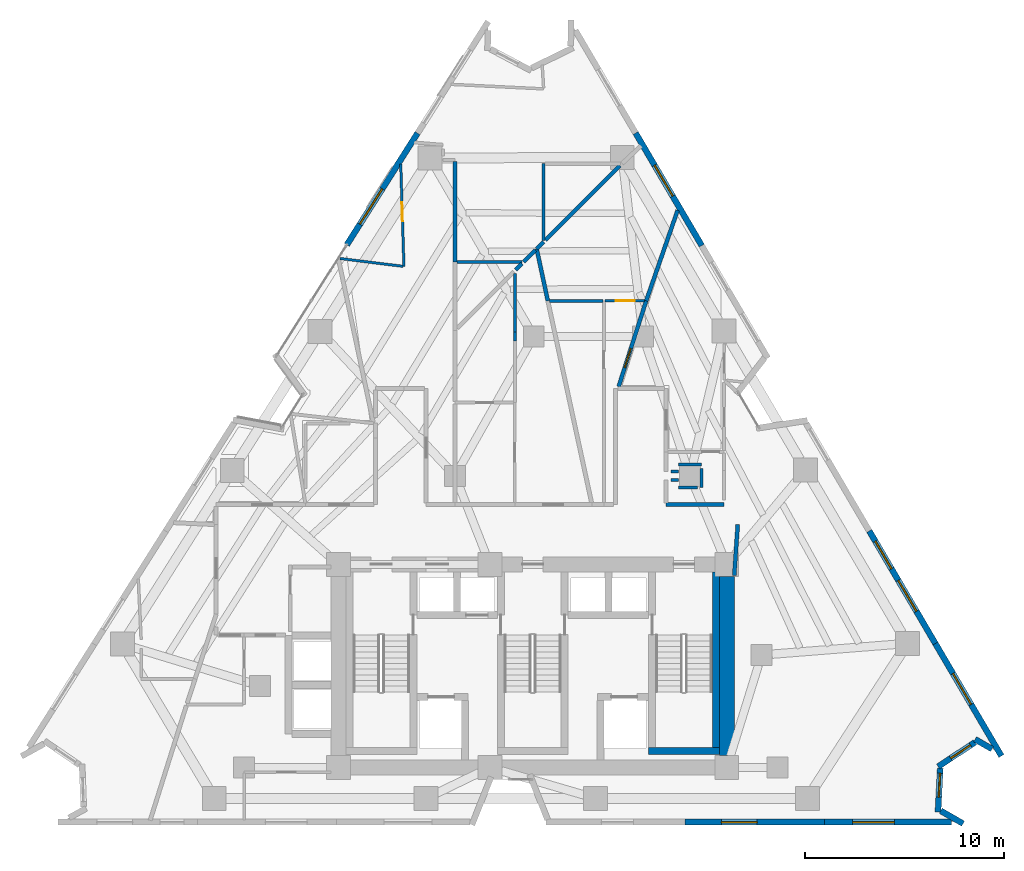
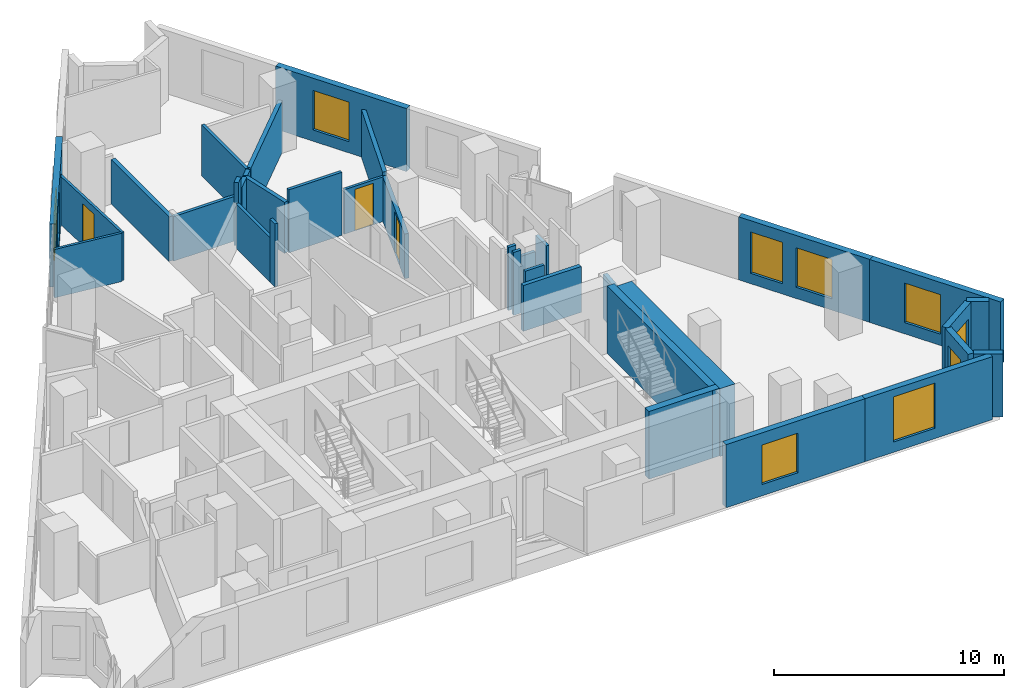
# One storey, part 8 of 12: 36 walls, 9 windows, 3 doors, 12 openings.
"""IFC4 building model written with IfcOpenShell, lengths in metres."""

from ifc_helpers import new_model, si_unit, direction, frame, frame_2d, origin, place, context, subcontext, project, spatial, rectangle, extrude, material, layer, layer_set, type_object, element, fill, save


model = new_model("IFC4")

# Units and contexts
model_context = context("Model", 3, precision=1e-05, world=origin(), true_north=direction((0.0, 1.0)))
body_context = subcontext(model_context, "Body", "Model", "MODEL_VIEW")
ifc_project = project(units=[si_unit("LENGTHUNIT", "METRE"), si_unit("AREAUNIT", "SQUARE_METRE"), si_unit("VOLUMEUNIT", "CUBIC_METRE"), si_unit("PLANEANGLEUNIT", "RADIAN"), si_unit("MASSUNIT", "GRAM", prefix="KILO")], contexts=[model_context])

# Site, building, storey
site_placement = place(None, origin())
site = spatial("IfcSite", under=ifc_project, at=site_placement, CompositionType="ELEMENT")
building_placement = place(site_placement, origin())
building = spatial("IfcBuilding", under=site, at=building_placement, Name="Almagre Mirador Tower", CompositionType="ELEMENT")
storey_placement = place(building_placement, frame((0.0, 0.0, 114.0)))
storey = spatial("IfcBuildingStorey", under=building, at=storey_placement, Name="L28", CompositionType="ELEMENT", Elevation=114.0)

# Wall, opening, window
ifc_material_1 = material(Name="Precast concrete C50/60", Category="concrete")
ifc_layer_1 = layer(ifc_material_1, 0.300048828125)
ifc_layer_set_1 = layer_set([ifc_layer_1], Name="Precast concrete C50/60")
wall_type_1 = type_object("IfcWallType", Name="WAL-EXT-300", PredefinedType="SOLIDWALL", material=ifc_layer_set_1)
wall_1_placement = place(storey_placement, frame((27.96435546875, 30.81005859375, 0.0), z_axis=(0.0, 0.0, 1.0), x_axis=(0.534892719091, 0.844919983823, 0.0)))
wall_1 = element("IfcWall", 1, at=wall_1_placement, inside=storey, type_object=wall_type_1, Name="L28 expressed almagre precast frame wall 03", PredefinedType="SOLIDWALL", context=body_context, shape_type="SweptSolid", body=[
    extrude(rectangle(XDim=6.6337890625, YDim=0.300048828125, at=frame_2d((3.31689453125, 0.0))), origin(), (0.0, 0.0, 1.0), 3.35009765625),
])
opening_1_placement = place(wall_1_placement, frame((1.22509765625, 0.0, 0.550048828125)))
opening_1 = element("IfcOpeningElement", 2, at=opening_1_placement, cuts=wall_1, Name="Opening WN-05", PredefinedType="OPENING", context=body_context, shape_type="SweptSolid", body=[
    extrude(rectangle(XDim=2.10009765625, YDim=2.39990234375, at=frame_2d((1.050048828125, 1.199951171875))), frame((0.0, 0.159902, 0.0), z_axis=(0.0, -1.0, 0.0), x_axis=(1.0, 0.0, 0.0)), (0.0, 0.0, 1.0), 0.320049),
])
ifc_material_2 = material(Name="Dark solar-control laminated hurricane glass", Category="glass")
window_type_1 = type_object("IfcWindowType", Name="WIN-2100X2400", PartitioningType="DOUBLE_PANEL_VERTICAL", PredefinedType="WINDOW", material=ifc_material_2)
window_1_placement = place(opening_1_placement, origin())
window_1 = element("IfcWindow", 3, at=window_1_placement, inside=storey, type_object=window_type_1, Name="L28 recessed hurricane window L28-UJ-KT", OverallHeight=2.39990234375, OverallWidth=2.10009765625, PartitioningType="SINGLE_PANEL", PredefinedType="WINDOW", context=body_context, shape_type="SweptSolid", body=[
    extrude(rectangle(XDim=2.10009765625, YDim=2.39990234375, at=frame_2d((1.050048828125, 1.199951171875))), frame((0.0, 0.030029296875, 0.0), z_axis=(0.0, -1.0, 0.0), x_axis=(1.0, 0.0, 0.0)), (0.0, 0.0, 1.0), 0.06005859375),
])
fill(opening_1, window_1)

wall_2_placement = place(storey_placement, frame((42.472412109375, 36.420166015625, 0.0), z_axis=(0.0, 0.0, 1.0), x_axis=(0.506315009763, -0.86234860172, 0.0)))
wall_2 = element("IfcWall", 4, at=wall_2_placement, inside=storey, type_object=wall_type_1, Name="L28 expressed almagre precast frame wall 10", PredefinedType="SOLIDWALL", context=body_context, shape_type="SweptSolid", body=[
    extrude(rectangle(XDim=6.553466796875, YDim=0.300048828125, at=frame_2d((3.27685546875, 0.0))), origin(), (0.0, 0.0, 1.0), 3.35009765625),
])
opening_2_placement = place(wall_2_placement, frame((1.875, 0.0, 0.60009765625)))
opening_2 = element("IfcOpeningElement", 5, at=opening_2_placement, cuts=wall_2, Name="Opening WN-01", PredefinedType="OPENING", context=body_context, shape_type="SweptSolid", body=[
    extrude(rectangle(XDim=1.800048828125, YDim=2.10009765625, at=frame_2d((0.89990234375, 1.050048828125))), frame((0.0, 0.159902, 0.0), z_axis=(0.0, -1.0, 0.0), x_axis=(1.0, 0.0, 0.0)), (0.0, 0.0, 1.0), 0.320049),
])
ifc_material_3 = material(Name="Dark solar-control laminated hurricane glass", Category="glass")
window_type_2 = type_object("IfcWindowType", Name="WIN-1800X2100", PartitioningType="DOUBLE_PANEL_VERTICAL", PredefinedType="WINDOW", material=ifc_material_3)
window_2_placement = place(opening_2_placement, origin())
window_2 = element("IfcWindow", 6, at=window_2_placement, inside=storey, type_object=window_type_2, Name="L28 recessed hurricane window L28-UK-KT", OverallHeight=2.10009765625, OverallWidth=1.800048828125, PartitioningType="SINGLE_PANEL", PredefinedType="WINDOW", context=body_context, shape_type="SweptSolid", body=[
    extrude(rectangle(XDim=1.800048828125, YDim=2.10009765625, at=frame_2d((0.89990234375, 1.050048828125))), frame((0.0, 0.030029296875, 0.0), z_axis=(0.0, -1.0, 0.0), x_axis=(1.0, 0.0, 0.0)), (0.0, 0.0, 1.0), 0.06005859375),
])
fill(opening_2, window_2)

# Wall, openings, windows
wall_3_placement = place(storey_placement, frame((54.20947265625, 16.43115234375, 0.0), z_axis=(0.0, 0.0, 1.0), x_axis=(0.506315009763, -0.86234860172, 0.0)))
wall_3 = element("IfcWall", 7, at=wall_3_placement, inside=storey, type_object=wall_type_1, Name="L28 expressed almagre precast frame wall 15", PredefinedType="SOLIDWALL", context=body_context, shape_type="SweptSolid", body=[
    extrude(rectangle(XDim=6.553466796875, YDim=0.300048828125, at=frame_2d((3.27685546875, 0.0))), origin(), (0.0, 0.0, 1.0), 3.35009765625),
])
opening_3_placement = place(wall_3_placement, frame((2.875, 0.0, 0.60009765625)))
opening_3 = element("IfcOpeningElement", 8, at=opening_3_placement, cuts=wall_3, Name="Opening WN-01", PredefinedType="OPENING", context=body_context, shape_type="SweptSolid", body=[
    extrude(rectangle(XDim=1.800048828125, YDim=2.10009765625, at=frame_2d((0.89990234375, 1.050048828125))), frame((0.0, 0.159902, 0.0), z_axis=(0.0, -1.0, 0.0), x_axis=(1.0, 0.0, 0.0)), (0.0, 0.0, 1.0), 0.320049),
])
opening_4_placement = place(wall_3_placement, frame((0.60009765625, 0.0, 0.550048828125)))
opening_4 = element("IfcOpeningElement", 9, at=opening_4_placement, cuts=wall_3, Name="Opening WN-06", PredefinedType="OPENING", context=body_context, shape_type="SweptSolid", body=[
    extrude(rectangle(XDim=1.60009765625, YDim=2.199951171875, at=frame_2d((0.800048828125, 1.10009765625))), frame((0.0, 0.159902, 0.0), z_axis=(0.0, -1.0, 0.0), x_axis=(1.0, 0.0, 0.0)), (0.0, 0.0, 1.0), 0.320049),
])
ifc_material_4 = material(Name="Dark solar-control laminated hurricane glass", Category="glass")
window_type_3 = type_object("IfcWindowType", Name="WIN-1600X2200", PartitioningType="DOUBLE_PANEL_VERTICAL", PredefinedType="WINDOW", material=ifc_material_4)
window_3_placement = place(opening_4_placement, origin())
window_3 = element("IfcWindow", 10, at=window_3_placement, inside=storey, type_object=window_type_3, Name="L28 recessed hurricane window L28-UC-HB", OverallHeight=2.199951171875, OverallWidth=1.60009765625, PartitioningType="SINGLE_PANEL", PredefinedType="WINDOW", context=body_context, shape_type="SweptSolid", body=[
    extrude(rectangle(XDim=1.60009765625, YDim=2.199951171875, at=frame_2d((0.800048828125, 1.10009765625))), frame((0.0, 0.030029296875, 0.0), z_axis=(0.0, -1.0, 0.0), x_axis=(1.0, 0.0, 0.0)), (0.0, 0.0, 1.0), 0.06005859375),
])
fill(opening_4, window_3)
window_4_placement = place(opening_3_placement, origin())
window_4 = element("IfcWindow", 11, at=window_4_placement, inside=storey, type_object=window_type_2, Name="L28 recessed hurricane window L28-UC-LV", OverallHeight=2.10009765625, OverallWidth=1.800048828125, PartitioningType="SINGLE_PANEL", PredefinedType="WINDOW", context=body_context, shape_type="SweptSolid", body=[
    extrude(rectangle(XDim=1.800048828125, YDim=2.10009765625, at=frame_2d((0.89990234375, 1.050048828125))), frame((0.0, 0.030029296875, 0.0), z_axis=(0.0, -1.0, 0.0), x_axis=(1.0, 0.0, 0.0)), (0.0, 0.0, 1.0), 0.06005859375),
])
fill(opening_3, window_4)

# Wall, opening, window
wall_4_placement = place(storey_placement, frame((57.527587890625, 10.77978515625, 0.0), z_axis=(0.0, 0.0, 1.0), x_axis=(0.506342712509, -0.862332335871, 0.0)))
wall_4 = element("IfcWall", 12, at=wall_4_placement, inside=storey, type_object=wall_type_1, Name="L28 expressed almagre precast frame wall 16", PredefinedType="SOLIDWALL", context=body_context, shape_type="SweptSolid", body=[
    extrude(rectangle(XDim=6.553466796875, YDim=0.300048828125, at=frame_2d((3.27685546875, 0.0))), origin(), (0.0, 0.0, 1.0), 3.35009765625),
])
opening_5_placement = place(wall_4_placement, frame((1.75, 0.0, 0.60009765625)))
opening_5 = element("IfcOpeningElement", 13, at=opening_5_placement, cuts=wall_4, Name="Opening WN-01", PredefinedType="OPENING", context=body_context, shape_type="SweptSolid", body=[
    extrude(rectangle(XDim=1.800048828125, YDim=2.10009765625, at=frame_2d((0.89990234375, 1.050048828125))), frame((0.0, 0.159902, 0.0), z_axis=(0.0, -1.0, 0.0), x_axis=(1.0, 0.0, 0.0)), (0.0, 0.0, 1.0), 0.320049),
])
window_5_placement = place(opening_5_placement, origin())
window_5 = element("IfcWindow", 14, at=window_5_placement, inside=storey, type_object=window_type_2, Name="L28 recessed hurricane window L28-UC-MB", OverallHeight=2.10009765625, OverallWidth=1.800048828125, PartitioningType="SINGLE_PANEL", PredefinedType="WINDOW", context=body_context, shape_type="SweptSolid", body=[
    extrude(rectangle(XDim=1.800048828125, YDim=2.10009765625, at=frame_2d((0.89990234375, 1.050048828125))), frame((0.0, 0.030029296875, 0.0), z_axis=(0.0, -1.0, 0.0), x_axis=(1.0, 0.0, 0.0)), (0.0, 0.0, 1.0), 0.06005859375),
])
fill(opening_5, window_5)

# Wall
wall_5_placement = place(storey_placement, frame((60.37158203125, 5.47998046875, 0.0), z_axis=(0.0, 0.0, 1.0), x_axis=(-0.867706517509, 0.497076854694, 0.0)))
element("IfcWall", 15, at=wall_5_placement, inside=storey, type_object=wall_type_1, Name="L28 expressed almagre precast frame wall 17", PredefinedType="SOLIDWALL", context=body_context, shape_type="SweptSolid", body=[
    extrude(rectangle(XDim=0.980712890625, YDim=0.300048828125, at=frame_2d((0.490234375, 0.0))), origin(), (0.0, 0.0, 1.0), 3.35009765625),
])

# Wall, opening, window
wall_6_placement = place(storey_placement, frame((59.52099609375, 5.818115234375, 0.0), z_axis=(0.0, 0.0, 1.0), x_axis=(-0.834712479674, -0.550686005158, 0.0)))
wall_6 = element("IfcWall", 16, at=wall_6_placement, inside=storey, type_object=wall_type_1, Name="L28 expressed almagre precast frame wall 18", PredefinedType="SOLIDWALL", context=body_context, shape_type="SweptSolid", body=[
    extrude(rectangle(XDim=2.22119140625, YDim=0.300048828125, at=frame_2d((1.110595703125, 0.0))), origin(), (0.0, 0.0, 1.0), 3.35009765625),
])
opening_6_placement = place(wall_6_placement, frame((0.264892578125, 0.0, 0.800048828125)))
opening_6 = element("IfcOpeningElement", 17, at=opening_6_placement, cuts=wall_6, Name="Opening WN-04", PredefinedType="OPENING", context=body_context, shape_type="SweptSolid", body=[
    extrude(rectangle(XDim=1.199951171875, YDim=1.800048828125, at=frame_2d((0.60009765625, 0.89990234375))), frame((0.0, 0.159902, 0.0), z_axis=(0.0, -1.0, 0.0), x_axis=(1.0, 0.0, 0.0)), (0.0, 0.0, 1.0), 0.320049),
])
ifc_material_5 = material(Name="Dark solar-control laminated hurricane glass", Category="glass")
window_type_4 = type_object("IfcWindowType", Name="WIN-1200X1800", PartitioningType="SINGLE_PANEL", PredefinedType="WINDOW", material=ifc_material_5)
window_6_placement = place(opening_6_placement, origin())
window_6 = element("IfcWindow", 18, at=window_6_placement, inside=storey, type_object=window_type_4, Name="L28 recessed hurricane window L28-UC-MB", OverallHeight=1.800048828125, OverallWidth=1.199951171875, PartitioningType="SINGLE_PANEL", PredefinedType="WINDOW", context=body_context, shape_type="SweptSolid", body=[
    extrude(rectangle(XDim=1.199951171875, YDim=1.800048828125, at=frame_2d((0.60009765625, 0.89990234375))), frame((0.0, 0.030029296875, 0.0), z_axis=(0.0, -1.0, 0.0), x_axis=(1.0, 0.0, 0.0)), (0.0, 0.0, 1.0), 0.06005859375),
])
fill(opening_6, window_6)

wall_7_placement = place(storey_placement, frame((57.77587890625, 4.51708984375, 0.0), z_axis=(0.0, 0.0, 1.0), x_axis=(-0.052535661709, -0.998619048611, 0.0)))
wall_7 = element("IfcWall", 19, at=wall_7_placement, inside=storey, type_object=wall_type_1, Name="L28 expressed almagre precast frame wall 19", PredefinedType="SOLIDWALL", context=body_context, shape_type="SweptSolid", body=[
    extrude(rectangle(XDim=2.212158203125, YDim=0.300048828125, at=frame_2d((1.10595703125, 0.0))), origin(), (0.0, 0.0, 1.0), 3.35009765625),
])
opening_7_placement = place(wall_7_placement, frame((0.2548828125, 0.0, 0.800048828125)))
opening_7 = element("IfcOpeningElement", 20, at=opening_7_placement, cuts=wall_7, Name="Opening WN-04", PredefinedType="OPENING", context=body_context, shape_type="SweptSolid", body=[
    extrude(rectangle(XDim=1.199951171875, YDim=1.800048828125, at=frame_2d((0.60009765625, 0.89990234375))), frame((0.0, 0.159902, 0.0), z_axis=(0.0, -1.0, 0.0), x_axis=(1.0, 0.0, 0.0)), (0.0, 0.0, 1.0), 0.320049),
])
window_7_placement = place(opening_7_placement, origin())
window_7 = element("IfcWindow", 21, at=window_7_placement, inside=storey, type_object=window_type_4, Name="L28 recessed hurricane window L28-UC-MB", OverallHeight=1.800048828125, OverallWidth=1.199951171875, PartitioningType="SINGLE_PANEL", PredefinedType="WINDOW", context=body_context, shape_type="SweptSolid", body=[
    extrude(rectangle(XDim=1.199951171875, YDim=1.800048828125, at=frame_2d((0.60009765625, 0.89990234375))), frame((0.0, 0.030029296875, 0.0), z_axis=(0.0, -1.0, 0.0), x_axis=(1.0, 0.0, 0.0)), (0.0, 0.0, 1.0), 0.06005859375),
])
fill(opening_7, window_7)

# Wall
wall_8_placement = place(storey_placement, frame((57.797119140625, 2.37353515625, 0.0), z_axis=(0.0, 0.0, 1.0), x_axis=(0.868034267217, -0.496504290955, 0.0)))
element("IfcWall", 22, at=wall_8_placement, inside=storey, type_object=wall_type_1, Name="L28 expressed almagre precast frame wall 20", PredefinedType="SOLIDWALL", context=body_context, shape_type="SweptSolid", body=[
    extrude(rectangle(XDim=1.295166015625, YDim=0.300048828125, at=frame_2d((0.6474609375, 0.0))), origin(), (0.0, 0.0, 1.0), 3.35009765625),
])

# Wall, opening, window
wall_9_placement = place(storey_placement, frame((58.35009765625, 1.800048828125, 0.0), z_axis=(0.0, 0.0, 1.0), x_axis=(-1.0, 0.0, 0.0)))
wall_9 = element("IfcWall", 23, at=wall_9_placement, inside=storey, type_object=wall_type_1, Name="L28 expressed almagre precast frame wall 21", PredefinedType="SOLIDWALL", context=body_context, shape_type="SweptSolid", body=[
    extrude(rectangle(XDim=6.4033203125, YDim=0.300048828125, at=frame_2d((3.20166015625, 0.0))), origin(), (0.0, 0.0, 1.0), 3.35009765625),
])
opening_8_placement = place(wall_9_placement, frame((2.885009765625, 0.0, 0.550048828125)))
opening_8 = element("IfcOpeningElement", 24, at=opening_8_placement, cuts=wall_9, Name="Opening WN-05", PredefinedType="OPENING", context=body_context, shape_type="SweptSolid", body=[
    extrude(rectangle(XDim=2.10009765625, YDim=2.39990234375, at=frame_2d((1.050048828125, 1.199951171875))), frame((0.0, 0.159902, 0.0), z_axis=(0.0, -1.0, 0.0), x_axis=(1.0, 0.0, 0.0)), (0.0, 0.0, 1.0), 0.320049),
])
window_8_placement = place(opening_8_placement, origin())
window_8 = element("IfcWindow", 25, at=window_8_placement, inside=storey, type_object=window_type_1, Name="L28 recessed hurricane window L28-UC-KT", OverallHeight=2.39990234375, OverallWidth=2.10009765625, PartitioningType="SINGLE_PANEL", PredefinedType="WINDOW", context=body_context, shape_type="SweptSolid", body=[
    extrude(rectangle(XDim=2.10009765625, YDim=2.39990234375, at=frame_2d((1.050048828125, 1.199951171875))), frame((0.0, 0.030029296875, 0.0), z_axis=(0.0, -1.0, 0.0), x_axis=(1.0, 0.0, 0.0)), (0.0, 0.0, 1.0), 0.06005859375),
])
fill(opening_8, window_8)

wall_10_placement = place(storey_placement, frame((51.94677734375, 1.800048828125, 0.0), z_axis=(0.0, 0.0, 1.0), x_axis=(-1.0, 0.0, 0.0)))
wall_10 = element("IfcWall", 26, at=wall_10_placement, inside=storey, type_object=wall_type_1, Name="L28 expressed almagre precast frame wall 22", PredefinedType="SOLIDWALL", context=body_context, shape_type="SweptSolid", body=[
    extrude(rectangle(XDim=6.993408203125, YDim=0.300048828125, at=frame_2d((3.49658203125, 0.0))), origin(), (0.0, 0.0, 1.0), 3.35009765625),
])
opening_9_placement = place(wall_10_placement, frame((3.375, 0.0, 0.60009765625)))
opening_9 = element("IfcOpeningElement", 27, at=opening_9_placement, cuts=wall_10, Name="Opening WN-01", PredefinedType="OPENING", context=body_context, shape_type="SweptSolid", body=[
    extrude(rectangle(XDim=1.800048828125, YDim=2.10009765625, at=frame_2d((0.89990234375, 1.050048828125))), frame((0.0, 0.159902, 0.0), z_axis=(0.0, -1.0, 0.0), x_axis=(1.0, 0.0, 0.0)), (0.0, 0.0, 1.0), 0.320049),
])
window_9_placement = place(opening_9_placement, origin())
window_9 = element("IfcWindow", 28, at=window_9_placement, inside=storey, type_object=window_type_2, Name="L28 recessed hurricane window L28-RST-B", OverallHeight=2.10009765625, OverallWidth=1.800048828125, PartitioningType="SINGLE_PANEL", PredefinedType="WINDOW", context=body_context, shape_type="SweptSolid", body=[
    extrude(rectangle(XDim=1.800048828125, YDim=2.10009765625, at=frame_2d((0.89990234375, 1.050048828125))), frame((0.0, 0.030029296875, 0.0), z_axis=(0.0, -1.0, 0.0), x_axis=(1.0, 0.0, 0.0)), (0.0, 0.0, 1.0), 0.06005859375),
])
fill(opening_9, window_9)

# Wall, opening, door
ifc_material_6 = material(Name="Gypsum acoustic stud partition", Category="other")
ifc_layer_2 = layer(ifc_material_6, 0.125)
ifc_layer_set_2 = layer_set([ifc_layer_2], Name="Gypsum acoustic stud partition")
wall_type_2 = type_object("IfcWallType", Name="WAL-PRT-125-UTL", PredefinedType="PARTITIONING", material=ifc_layer_set_2)
wall_11_placement = place(storey_placement, frame((30.6708984375, 34.864990234375, 0.0), z_axis=(0.0, 0.0, 1.0), x_axis=(0.030923800782, -0.999521744909, 0.0)))
wall_11 = element("IfcWall", 29, at=wall_11_placement, inside=storey, type_object=wall_type_2, Name="L28 interior partition 076", PredefinedType="PARTITIONING", context=body_context, shape_type="SweptSolid", body=[
    extrude(rectangle(XDim=5.1474609375, YDim=0.125, at=frame_2d((2.57373046875, 0.0))), origin(), (0.0, 0.0, 1.0), 2.570068359375),
])
opening_10_placement = place(wall_11_placement, frame((1.92431640625, 0.0, 0.0)))
opening_10 = element("IfcOpeningElement", 30, at=opening_10_placement, cuts=wall_11, Name="Opening UD-01", PredefinedType="OPENING", context=body_context, shape_type="SweptSolid", body=[
    extrude(rectangle(XDim=0.949951171875, YDim=2.199951171875, at=frame_2d((0.47509765625, 1.10009765625))), frame((0.0, 0.0725, 0.0), z_axis=(0.0, -1.0, 0.0), x_axis=(1.0, 0.0, 0.0)), (0.0, 0.0, 1.0), 0.145),
])
ifc_material_7 = material(Name="Solid American walnut timber", Category="wood")
door_type_1 = type_object("IfcDoorType", Name="DOR-UNR-950X2200", OperationType="NOTDEFINED", PredefinedType="DOOR", material=ifc_material_7)
door_1_placement = place(opening_10_placement, origin())
door_1 = element("IfcDoor", 31, at=door_1_placement, inside=storey, type_object=door_type_1, Name="DR-0931 L28 interior door L28-UJ-LV to L28-UJ-KT", OperationType="SINGLE_SWING_LEFT", OverallHeight=2.199951171875, OverallWidth=0.949951171875, PredefinedType="DOOR", context=body_context, shape_type="SweptSolid", body=[
    extrude(rectangle(XDim=0.949951171875, YDim=2.199951171875, at=frame_2d((0.47509765625, 1.10009765625))), frame((0.0, 0.02490234375, 0.0), z_axis=(0.0, -1.0, 0.0), x_axis=(1.0, 0.0, 0.0)), (0.0, 0.0, 1.0), 0.050048828125),
])
fill(opening_10, door_1)

# Wall
wall_12_placement = place(storey_placement, frame((27.617431640625, 30.118408203125, 0.0), z_axis=(0.0, 0.0, 1.0), x_axis=(0.992397517991, -0.123073824536, 0.0)))
element("IfcWall", 32, at=wall_12_placement, inside=storey, type_object=wall_type_2, Name="L28 interior partition 081", PredefinedType="PARTITIONING", context=body_context, shape_type="SweptSolid", body=[
    extrude(rectangle(XDim=3.189697265625, YDim=0.125, at=frame_2d((1.5947265625, 0.0))), origin(), (0.0, 0.0, 1.0), 2.570068359375),
])

# Wall, opening, door
wall_13_placement = place(storey_placement, frame((42.9150390625, 27.989990234375, 0.0), z_axis=(0.0, 0.0, 1.0), x_axis=(-1.0, 0.0, 0.0)))
wall_13 = element("IfcWall", 33, at=wall_13_placement, inside=storey, type_object=wall_type_2, Name="L28 interior partition 083", PredefinedType="PARTITIONING", context=body_context, shape_type="SweptSolid", body=[
    extrude(rectangle(XDim=1.97509765625, YDim=0.125, at=frame_2d((0.987548828125, 0.0))), origin(), (0.0, 0.0, 1.0), 2.3720703125),
])
opening_11_placement = place(wall_13_placement, frame((0.5, 0.0, 0.0)))
opening_11 = element("IfcOpeningElement", 34, at=opening_11_placement, cuts=wall_13, Name="Opening UD-01", PredefinedType="OPENING", context=body_context, shape_type="SweptSolid", body=[
    extrude(rectangle(XDim=0.949951171875, YDim=2.199951171875, at=frame_2d((0.47509765625, 1.10009765625))), frame((0.0, 0.0725, 0.0), z_axis=(0.0, -1.0, 0.0), x_axis=(1.0, 0.0, 0.0)), (0.0, 0.0, 1.0), 0.145),
])
door_2_placement = place(opening_11_placement, origin())
door_2 = element("IfcDoor", 35, at=door_2_placement, inside=storey, type_object=door_type_1, Name="DR-0932 L28 interior door L28-UK-ST to L28-UK-KT", OperationType="SINGLE_SWING_LEFT", OverallHeight=2.199951171875, OverallWidth=0.949951171875, PredefinedType="DOOR", context=body_context, shape_type="SweptSolid", body=[
    extrude(rectangle(XDim=0.949951171875, YDim=2.199951171875, at=frame_2d((0.47509765625, 1.10009765625))), frame((0.0, 0.02490234375, 0.0), z_axis=(0.0, -1.0, 0.0), x_axis=(1.0, 0.0, 0.0)), (0.0, 0.0, 1.0), 0.050048828125),
])
fill(opening_11, door_2)

# Walls
ifc_material_8 = material(Name="Gypsum acoustic stud partition", Category="other")
ifc_layer_3 = layer(ifc_material_8, 0.14990234375)
ifc_layer_set_3 = layer_set([ifc_layer_3], Name="Gypsum acoustic stud partition")
wall_type_3 = type_object("IfcWallType", Name="WAL-PRT-150-STD", PredefinedType="PARTITIONING", material=ifc_layer_set_3)
wall_14_placement = place(storey_placement, frame((36.39990234375, 29.364990234375, 0.0), z_axis=(0.0, 0.0, 1.0), x_axis=(0.0, -1.0, 0.0)))
element("IfcWall", 36, at=wall_14_placement, inside=storey, type_object=wall_type_3, Name="L28 interior partition 058", PredefinedType="PARTITIONING", context=body_context, shape_type="SweptSolid", body=[
    extrude(rectangle(XDim=2.945068359375, YDim=0.14990234375, at=frame_2d((1.47265625, 0.0))), origin(), (0.0, 0.0, 1.0), 2.3720703125),
])
wall_15_placement = place(storey_placement, frame((40.820068359375, 27.989990234375, 0.0), z_axis=(0.0, 0.0, 1.0), x_axis=(-1.0, 0.0, 0.0)))
element("IfcWall", 37, at=wall_15_placement, inside=storey, type_object=wall_type_3, Name="L28 interior partition 084", PredefinedType="PARTITIONING", context=body_context, shape_type="SweptSolid", body=[
    extrude(rectangle(XDim=2.675048828125, YDim=0.14990234375, at=frame_2d((1.33740234375, 0.0))), origin(), (0.0, 0.0, 1.0), 3.35009765625),
])
wall_16_placement = place(storey_placement, frame((33.485107421875, 29.949951171875, 0.0), z_axis=(0.0, 0.0, 1.0), x_axis=(1.0, 0.0, 0.0)))
element("IfcWall", 38, at=wall_16_placement, inside=storey, type_object=wall_type_3, Name="L28 interior partition 088", PredefinedType="PARTITIONING", context=body_context, shape_type="SweptSolid", body=[
    extrude(rectangle(XDim=3.27978515625, YDim=0.14990234375, at=frame_2d((1.639892578125, 0.0))), origin(), (0.0, 0.0, 1.0), 2.3720703125),
])
wall_17_placement = place(storey_placement, frame((37.85009765625, 31.034912109375, 0.0), z_axis=(0.0, 0.0, 1.0), x_axis=(0.0, 1.0, 0.0)))
element("IfcWall", 39, at=wall_17_placement, inside=storey, type_object=wall_type_3, Name="L28 interior partition 091", PredefinedType="PARTITIONING", context=body_context, shape_type="SweptSolid", body=[
    extrude(rectangle(XDim=3.85498046875, YDim=0.14990234375, at=frame_2d((1.927490234375, 0.0))), origin(), (0.0, 0.0, 1.0), 2.7119140625),
])
wall_18_placement = place(storey_placement, frame((36.39990234375, 25.97998046875, 0.0), z_axis=(0.0, 0.0, 1.0), x_axis=(0.0, 1.0, 0.0)))
element("IfcWall", 40, at=wall_18_placement, inside=storey, type_object=wall_type_3, Name="L28 interior partition 099", PredefinedType="PARTITIONING", context=body_context, shape_type="SweptSolid", body=[
    extrude(rectangle(XDim=0.43994140625, YDim=0.14990234375, at=frame_2d((0.219970703125, 0.0))), origin(), (0.0, 0.0, 1.0), 3.35009765625),
])
wall_19_placement = place(storey_placement, frame((44.239990234375, 19.419921875, 0.0), z_axis=(0.0, 0.0, 1.0), x_axis=(1.0, 0.0, 0.0)))
element("IfcWall", 41, at=wall_19_placement, inside=storey, type_object=wall_type_3, Name="L28 interior partition 100", PredefinedType="PARTITIONING", context=body_context, shape_type="SweptSolid", body=[
    extrude(rectangle(XDim=0.380126953125, YDim=0.14990234375, at=frame_2d((0.18994140625, 0.0))), origin(), (0.0, 0.0, 1.0), 3.35009765625),
])
wall_20_placement = place(storey_placement, frame((44.6201171875, 19.780029296875, 0.0), z_axis=(0.0, 0.0, 1.0), x_axis=(1.0, 0.0, 0.0)))
element("IfcWall", 42, at=wall_20_placement, inside=storey, type_object=wall_type_3, Name="L28 interior partition 101", PredefinedType="PARTITIONING", context=body_context, shape_type="SweptSolid", body=[
    extrude(rectangle(XDim=1.169921875, YDim=0.14990234375, at=frame_2d((0.5849609375, 0.0))), origin(), (0.0, 0.0, 1.0), 2.3720703125),
])
wall_21_placement = place(storey_placement, frame((45.7900390625, 19.56494140625, 0.0), z_axis=(0.0, 0.0, 1.0), x_axis=(0.0, -1.0, 0.0)))
element("IfcWall", 43, at=wall_21_placement, inside=storey, type_object=wall_type_3, Name="L28 interior partition 102", PredefinedType="PARTITIONING", context=body_context, shape_type="SweptSolid", body=[
    extrude(rectangle(XDim=0.94482421875, YDim=0.14990234375, at=frame_2d((0.472412109375, 0.0))), origin(), (0.0, 0.0, 1.0), 3.35009765625),
])
wall_22_placement = place(storey_placement, frame((45.574951171875, 18.6201171875, 0.0), z_axis=(0.0, 0.0, 1.0), x_axis=(-1.0, 0.0, 0.0)))
element("IfcWall", 44, at=wall_22_placement, inside=storey, type_object=wall_type_3, Name="L28 interior partition 103", PredefinedType="PARTITIONING", context=body_context, shape_type="SweptSolid", body=[
    extrude(rectangle(XDim=0.954833984375, YDim=0.14990234375, at=frame_2d((0.4775390625, 0.0))), origin(), (0.0, 0.0, 1.0), 2.43603515625),
])
wall_23_placement = place(storey_placement, frame((44.6201171875, 18.97998046875, 0.0), z_axis=(0.0, 0.0, 1.0), x_axis=(-1.0, 0.0, 0.0)))
element("IfcWall", 45, at=wall_23_placement, inside=storey, type_object=wall_type_3, Name="L28 interior partition 104", PredefinedType="PARTITIONING", context=body_context, shape_type="SweptSolid", body=[
    extrude(rectangle(XDim=0.380126953125, YDim=0.14990234375, at=frame_2d((0.18994140625, 0.0))), origin(), (0.0, 0.0, 1.0), 3.35009765625),
])
ifc_material_9 = material(Name="Gypsum acoustic stud partition", Category="other")
ifc_layer_4 = layer(ifc_material_9, 0.199951171875)
ifc_layer_set_4 = layer_set([ifc_layer_4], Name="Gypsum acoustic stud partition")
wall_type_4 = type_object("IfcWallType", Name="WAL-PRT-200-EI60", PredefinedType="PARTITIONING", material=ifc_layer_set_4)
wall_24_placement = place(storey_placement, frame((47.425048828125, 14.199951171875, 0.0), z_axis=(0.0, 0.0, 1.0), x_axis=(0.068484119878, 0.997652206595, 0.0)))
element("IfcWall", 46, at=wall_24_placement, inside=storey, type_object=wall_type_4, Name="L28 interior partition 004", PredefinedType="PARTITIONING", context=body_context, shape_type="SweptSolid", body=[
    extrude(rectangle(XDim=2.55615234375, YDim=0.199951171875, at=frame_2d((1.278076171875, 0.0))), origin(), (0.0, 0.0, 1.0), 2.3720703125),
])
wall_25_placement = place(storey_placement, frame((46.919921875, 17.75, 0.0), z_axis=(0.0, 0.0, 1.0), x_axis=(-1.0, 0.0, 0.0)))
element("IfcWall", 47, at=wall_25_placement, inside=storey, type_object=wall_type_4, Name="L28 interior partition 014", PredefinedType="PARTITIONING", context=body_context, shape_type="SweptSolid", body=[
    extrude(rectangle(XDim=2.919921875, YDim=0.199951171875, at=frame_2d((1.4599609375, 0.0))), origin(), (0.0, 0.0, 1.0), 2.43603515625),
])
wall_26_placement = place(storey_placement, frame((38.06005859375, 27.989990234375, 0.0), z_axis=(0.0, 0.0, 1.0), x_axis=(-0.209797646084, 0.977744827497, 0.0)))
element("IfcWall", 48, at=wall_26_placement, inside=storey, type_object=wall_type_4, Name="L28 interior partition 061", PredefinedType="PARTITIONING", context=body_context, shape_type="SweptSolid", body=[
    extrude(rectangle(XDim=2.66943359375, YDim=0.199951171875, at=frame_2d((1.334716796875, 0.0))), origin(), (0.0, 0.0, 1.0), 2.7119140625),
])
wall_27_placement = place(storey_placement, frame((37.43994140625, 30.539794921875, 0.0), z_axis=(0.0, 0.0, 1.0), x_axis=(-0.707106781187, -0.707106781187, 0.0)))
element("IfcWall", 49, at=wall_27_placement, inside=storey, type_object=wall_type_4, Name="L28 interior partition 062", PredefinedType="PARTITIONING", context=body_context, shape_type="SweptSolid", body=[
    extrude(rectangle(XDim=0.834228515625, YDim=0.199951171875, at=frame_2d((0.4169921875, 0.0))), origin(), (0.0, 0.0, 1.0), 2.7119140625),
])
wall_28_placement = place(storey_placement, frame((36.758056640625, 29.858154296875, 0.0), z_axis=(0.0, 0.0, 1.0), x_axis=(-0.707106781187, -0.707106781187, 0.0)))
element("IfcWall", 50, at=wall_28_placement, inside=storey, type_object=wall_type_4, Name="L28 interior partition 063", PredefinedType="PARTITIONING", context=body_context, shape_type="SweptSolid", body=[
    extrude(rectangle(XDim=0.446533203125, YDim=0.199951171875, at=frame_2d((0.22314453125, 0.0))), origin(), (0.0, 0.0, 1.0), 3.35009765625),
])

# Wall, opening, door
wall_29_placement = place(storey_placement, frame((43.0, 27.989990234375, 0.0), z_axis=(0.0, 0.0, 1.0), x_axis=(-0.305803129518, -0.95209476733, 0.0)))
wall_29 = element("IfcWall", 51, at=wall_29_placement, inside=storey, type_object=wall_type_4, Name="L28 interior partition 071", PredefinedType="PARTITIONING", context=body_context, shape_type="SweptSolid", body=[
    extrude(rectangle(XDim=4.52587890625, YDim=0.199951171875, at=frame_2d((2.262939453125, 0.0))), origin(), (0.0, 0.0, 1.0), 2.3720703125),
])
opening_12_placement = place(wall_29_placement, frame((2.519287109375, 0.0, 0.0)))
opening_12 = element("IfcOpeningElement", 52, at=opening_12_placement, cuts=wall_29, Name="Opening ID-01", PredefinedType="OPENING", context=body_context, shape_type="SweptSolid", body=[
    extrude(rectangle(XDim=1.0, YDim=2.199951171875, at=frame_2d((0.5, 1.10009765625))), frame((0.0, 0.110098, 0.0), z_axis=(0.0, -1.0, 0.0), x_axis=(1.0, 0.0, 0.0)), (0.0, 0.0, 1.0), 0.219951),
])
ifc_material_10 = material(Name="Fire-rated walnut timber", Category="wood")
door_type_2 = type_object("IfcDoorType", Name="DOR-FD60-1000X2200", OperationType="NOTDEFINED", PredefinedType="DOOR", material=ifc_material_10)
door_3_placement = place(opening_12_placement, origin())
door_3 = element("IfcDoor", 53, at=door_3_placement, inside=storey, type_object=door_type_2, Name="DR-0934 L28 interior door L28-UH-LV to L28-UK-ST", OperationType="SINGLE_SWING_LEFT", OverallHeight=2.199951171875, OverallWidth=1.0, PredefinedType="DOOR", context=body_context, shape_type="SweptSolid", body=[
    extrude(rectangle(XDim=1.0, YDim=2.199951171875, at=frame_2d((0.5, 1.10009765625))), frame((0.0, 0.02490234375, 0.0), z_axis=(0.0, -1.0, 0.0), x_axis=(1.0, 0.0, 0.0)), (0.0, 0.0, 1.0), 0.050048828125),
])
fill(opening_12, door_3)

# Walls
wall_30_placement = place(storey_placement, frame((44.5810546875, 32.5419921875, 0.0), z_axis=(0.0, 0.0, 1.0), x_axis=(-0.328103998337, -0.944641607318, 0.0)))
element("IfcWall", 54, at=wall_30_placement, inside=storey, type_object=wall_type_4, Name="L28 interior partition 072", PredefinedType="PARTITIONING", context=body_context, shape_type="SweptSolid", body=[
    extrude(rectangle(XDim=4.81884765625, YDim=0.199951171875, at=frame_2d((2.409423828125, 0.0))), origin(), (0.0, 0.0, 1.0), 2.570068359375),
])
wall_31_placement = place(storey_placement, frame((33.39990234375, 29.949951171875, 0.0), z_axis=(0.0, 0.0, 1.0), x_axis=(0.0, 1.0, 0.0)))
element("IfcWall", 55, at=wall_31_placement, inside=storey, type_object=wall_type_4, Name="L28 interior partition 078", PredefinedType="PARTITIONING", context=body_context, shape_type="SweptSolid", body=[
    extrude(rectangle(XDim=5.050048828125, YDim=0.199951171875, at=frame_2d((2.52490234375, 0.0))), origin(), (0.0, 0.0, 1.0), 2.3720703125),
])
wall_32_placement = place(storey_placement, frame((37.85009765625, 30.949951171875, 0.0), z_axis=(0.0, 0.0, 1.0), x_axis=(-0.707353374636, -0.706860101711, 0.0)))
element("IfcWall", 56, at=wall_32_placement, inside=storey, type_object=wall_type_4, Name="L28 interior partition 085", PredefinedType="PARTITIONING", context=body_context, shape_type="SweptSolid", body=[
    extrude(rectangle(XDim=0.494873046875, YDim=0.199951171875, at=frame_2d((0.24755859375, 0.0))), origin(), (0.0, 0.0, 1.0), 2.7119140625),
])
wall_33_placement = place(storey_placement, frame((41.683837890625, 34.783935546875, 0.0), z_axis=(0.0, 0.0, 1.0), x_axis=(-0.707106781187, -0.707106781187, 0.0)))
element("IfcWall", 57, at=wall_33_placement, inside=storey, type_object=wall_type_4, Name="L28 interior partition 087", PredefinedType="PARTITIONING", context=body_context, shape_type="SweptSolid", body=[
    extrude(rectangle(XDim=5.2919921875, YDim=0.199951171875, at=frame_2d((2.64599609375, 0.0))), origin(), (0.0, 0.0, 1.0), 2.7119140625),
])
ifc_material_11 = material(Name="Concrete C60/75", Category="concrete")
ifc_layer_5 = layer(ifc_material_11, 0.35009765625)
ifc_layer_set_5 = layer_set([ifc_layer_5], Name="Concrete C60/75")
wall_type_5 = type_object("IfcWallType", Name="WAL-SHF-350", PredefinedType="SOLIDWALL", material=ifc_layer_set_5)
wall_34_placement = place(storey_placement, frame((46.5, 5.199951171875, 0.0), z_axis=(0.0, 0.0, 1.0), x_axis=(0.0, 1.0, 0.0)))
element("IfcWall", 58, at=wall_34_placement, inside=storey, type_object=wall_type_5, Name="L28 shaft wall ST3-E", PredefinedType="SOLIDWALL", context=body_context, shape_type="SweptSolid", body=[
    extrude(rectangle(XDim=9.175048828125, YDim=0.35009765625, at=frame_2d((4.58740234375, 0.0))), origin(), (0.0, 0.0, 1.0), 3.60009765625),
])
wall_35_placement = place(storey_placement, frame((43.125, 5.375, 0.0), z_axis=(0.0, 0.0, 1.0), x_axis=(1.0, 0.0, 0.0)))
element("IfcWall", 59, at=wall_35_placement, inside=storey, type_object=wall_type_5, Name="L28 shaft wall ST3-S", PredefinedType="SOLIDWALL", context=body_context, shape_type="SweptSolid", body=[
    extrude(rectangle(XDim=3.550048828125, YDim=0.35009765625, at=frame_2d((1.77490234375, 0.0))), origin(), (0.0, 0.0, 1.0), 3.60009765625),
])
ifc_material_12 = material(Name="Concrete C60/75", Category="concrete")
ifc_layer_6 = layer(ifc_material_12, 0.75)
ifc_layer_set_6 = layer_set([ifc_layer_6], Name="Concrete C60/75")
wall_type_6 = type_object("IfcWallType", Name="WAL-SHR-750", PredefinedType="SHEAR", material=ifc_layer_set_6)
wall_36_placement = place(storey_placement, frame((47.050048828125, 5.14990234375, 0.0), z_axis=(0.0, 0.0, 1.0), x_axis=(0.0, 1.0, 0.0)))
element("IfcWall", 60, at=wall_36_placement, inside=storey, type_object=wall_type_6, Name="L28 core shear wall E1", PredefinedType="SHEAR", context=body_context, shape_type="SweptSolid", body=[
    extrude(rectangle(XDim=9.0, YDim=0.75, at=frame_2d((4.5, 0.0))), origin(), (0.0, 0.0, 1.0), 3.60009765625),
])

save(model, "model.ifc")
